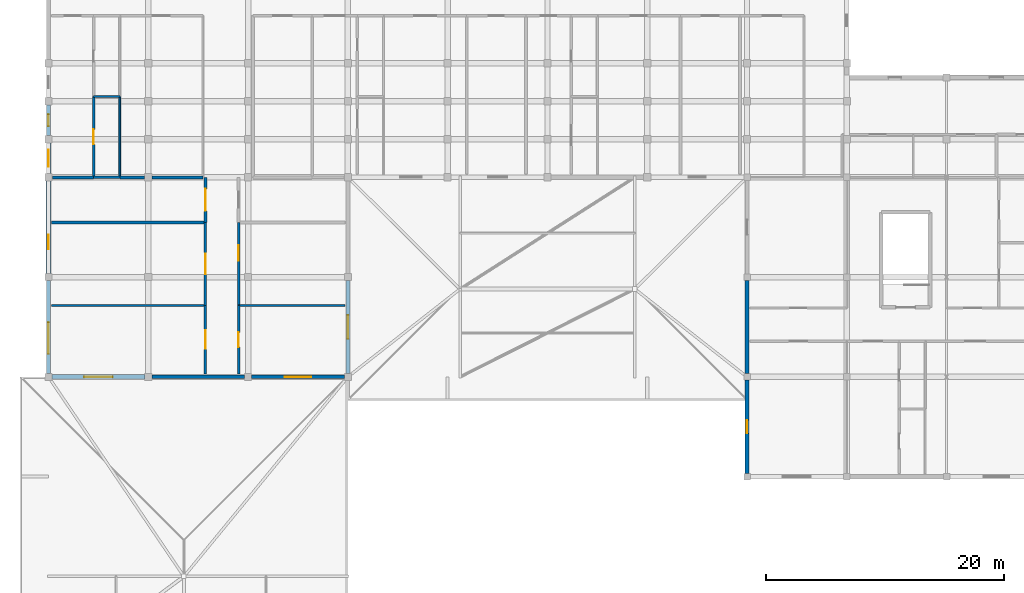
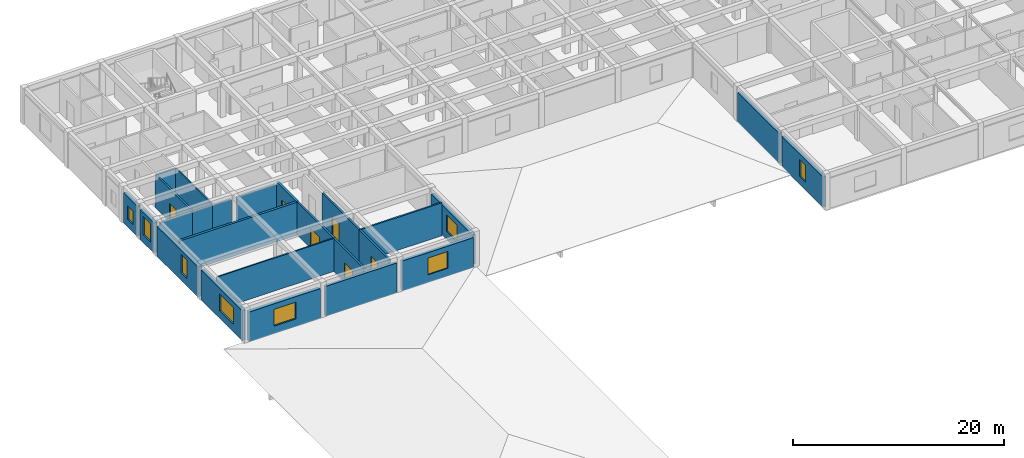
# One storey, part 14 of 42: 25 walls, 8 windows, 6 doors, 14 openings.
"""IFC4 building model written with IfcOpenShell, lengths in metres."""

from ifc_helpers import new_model, si_unit, direction, frame, frame_2d, origin, place, context, subcontext, project, spatial, rectangle, extrude, material, layer, layer_set, type_object, element, fill, save


model = new_model("IFC4")

# Units and contexts
model_context = context("Model", 3, precision=1e-05, world=origin(), true_north=direction((0.0, 1.0)))
body_context = subcontext(model_context, "Body", "Model", "MODEL_VIEW")
ifc_project = project(units=[si_unit("LENGTHUNIT", "METRE"), si_unit("AREAUNIT", "SQUARE_METRE"), si_unit("VOLUMEUNIT", "CUBIC_METRE"), si_unit("PLANEANGLEUNIT", "RADIAN"), si_unit("MASSUNIT", "GRAM", prefix="KILO")], contexts=[model_context])

# Site, building, storey
site_placement = place(None, origin())
site = spatial("IfcSite", under=ifc_project, at=site_placement, CompositionType="ELEMENT")
building_placement = place(site_placement, origin())
building = spatial("IfcBuilding", under=site, at=building_placement, Name="Varncliffe General Hospital", CompositionType="ELEMENT")
storey_placement = place(building_placement, frame((0.0, 0.0, 20.39990234375)))
storey = spatial("IfcBuildingStorey", under=building, at=storey_placement, Name="L04", CompositionType="ELEMENT", Elevation=20.39990234375)

# Wall
ifc_material_1 = material(Name="Precast concrete C40/50 with insulated cream lime-cement stucco", Category="concrete")
ifc_layer_1 = layer(ifc_material_1, 0.31005859375)
ifc_layer_set_1 = layer_set([ifc_layer_1], Name="Precast concrete C40/50 with insulated cream lime-cement stucco")
wall_type_1 = type_object("IfcWallType", Name="Exterior Insulated Stucco Wall EW20 (310mm)", PredefinedType="SOLIDWALL", material=ifc_layer_set_1)
wall_1_placement = place(storey_placement, frame((58.800048828125, 83.072998046875, 0.0), z_axis=(0.0, 0.0, 1.0), x_axis=(0.0, 1.0, 0.0)))
element("IfcWall", 1, at=wall_1_placement, inside=storey, type_object=wall_type_1, Name="L04 Exterior Stucco Wall EW20-329", PredefinedType="SOLIDWALL", context=body_context, shape_type="SweptSolid", body=[
    extrude(rectangle(XDim=7.85400390625, YDim=0.31005859375, at=frame_2d((3.927001953125, 0.0))), origin(), (0.0, 0.0, 1.0), 3.47998046875),
])

# Wall, opening, window
wall_2_placement = place(storey_placement, frame((24.902099609375, 82.800048828125, 0.0), z_axis=(0.0, 0.0, 1.0), x_axis=(-1.0, 0.0, 0.0)))
wall_2 = element("IfcWall", 2, at=wall_2_placement, inside=storey, type_object=wall_type_1, Name="L04 Exterior Stucco Wall EW20-337", PredefinedType="SOLIDWALL", context=body_context, shape_type="SweptSolid", body=[
    extrude(rectangle(XDim=7.80419921875, YDim=0.31005859375, at=frame_2d((3.902099609375, 0.0))), origin(), (0.0, 0.0, 1.0), 3.47998046875),
])
opening_1_placement = place(wall_2_placement, frame((2.802001953125, 0.0, 0.89990234375)))
opening_1 = element("IfcOpeningElement", 3, at=opening_1_placement, cuts=wall_2, Name="Opening WN35", PredefinedType="OPENING", context=body_context, shape_type="SweptSolid", body=[
    extrude(rectangle(XDim=2.199951171875, YDim=1.949951171875, at=frame_2d((1.10009765625, 0.97509765625))), frame((0.0, 0.1650390625, 0.0), z_axis=(0.0, -1.0, 0.0), x_axis=(1.0, 0.0, 0.0)), (0.0, 0.0, 1.0), 0.330078125),
])
ifc_material_2 = material(Name="Triple low-E argon insulated vision glazing", Category="glass")
window_type_1 = type_object("IfcWindowType", Name="Triple-Glazed Hospital Window WN35 (2200x1950)", PartitioningType="DOUBLE_PANEL_VERTICAL", PredefinedType="WINDOW", material=ifc_material_2)
window_1_placement = place(opening_1_placement, origin())
window_1 = element("IfcWindow", 4, at=window_1_placement, inside=storey, type_object=window_type_1, Name="L04 Hospital Window WN35-250", OverallHeight=1.949951171875, OverallWidth=2.199951171875, PartitioningType="DOUBLE_PANEL_VERTICAL", PredefinedType="WINDOW", context=body_context, shape_type="SweptSolid", body=[
    extrude(rectangle(XDim=2.199951171875, YDim=1.949951171875, at=frame_2d((1.10009765625, 0.97509765625))), frame((0.0, 0.030029296875, 0.0), z_axis=(0.0, -1.0, 0.0), x_axis=(1.0, 0.0, 0.0)), (0.0, 0.0, 1.0), 0.06005859375),
])
fill(opening_1, window_1)

ifc_layer_2 = layer(ifc_material_1, 0.3798828125)
ifc_layer_set_2 = layer_set([ifc_layer_2], Name="Precast concrete C40/50 with insulated cream lime-cement stucco")
wall_type_2 = type_object("IfcWallType", Name="Exterior Insulated Stucco Wall EW26 (380mm)", PredefinedType="SOLIDWALL", material=ifc_layer_set_2)
wall_3_placement = place(storey_placement, frame((8.10205078125, 82.800048828125, 0.0), z_axis=(0.0, 0.0, 1.0), x_axis=(-1.0, 0.0, 0.0)))
wall_3 = element("IfcWall", 5, at=wall_3_placement, inside=storey, type_object=wall_type_2, Name="L04 Exterior Stucco Wall EW26-339", PredefinedType="SOLIDWALL", context=body_context, shape_type="SweptSolid", body=[
    extrude(rectangle(XDim=7.803955078125, YDim=0.3798828125, at=frame_2d((3.90185546875, 0.0))), origin(), (0.0, 0.0, 1.0), 3.47998046875),
])
opening_2_placement = place(wall_3_placement, frame((2.701904296875, 0.0, 0.89990234375)))
opening_2 = element("IfcOpeningElement", 6, at=opening_2_placement, cuts=wall_3, Name="Opening WN16", PredefinedType="OPENING", context=body_context, shape_type="SweptSolid", body=[
    extrude(rectangle(XDim=2.39990234375, YDim=1.949951171875, at=frame_2d((1.199951171875, 0.97509765625))), frame((0.0, 0.199951171875, 0.0), z_axis=(0.0, -1.0, 0.0), x_axis=(1.0, 0.0, 0.0)), (0.0, 0.0, 1.0), 0.39990234375),
])
window_type_2 = type_object("IfcWindowType", Name="Triple-Glazed Hospital Window WN16 (2400x1950)", PartitioningType="DOUBLE_PANEL_VERTICAL", PredefinedType="WINDOW", material=ifc_material_2)
window_2_placement = place(opening_2_placement, origin())
window_2 = element("IfcWindow", 7, at=window_2_placement, inside=storey, type_object=window_type_2, Name="L04 Hospital Window WN16-251", OverallHeight=1.949951171875, OverallWidth=2.39990234375, PartitioningType="DOUBLE_PANEL_VERTICAL", PredefinedType="WINDOW", context=body_context, shape_type="SweptSolid", body=[
    extrude(rectangle(XDim=2.39990234375, YDim=1.949951171875, at=frame_2d((1.199951171875, 0.97509765625))), frame((0.0, 0.030029296875, 0.0), z_axis=(0.0, -1.0, 0.0), x_axis=(1.0, 0.0, 0.0)), (0.0, 0.0, 1.0), 0.06005859375),
])
fill(opening_2, window_2)

wall_4_placement = place(storey_placement, frame((0.0, 99.89794921875, 0.0), z_axis=(0.0, 0.0, 1.0), x_axis=(0.0, 1.0, 0.0)))
wall_4 = element("IfcWall", 8, at=wall_4_placement, inside=storey, type_object=wall_type_2, Name="L04 Exterior Stucco Wall EW26-342", PredefinedType="SOLIDWALL", context=body_context, shape_type="SweptSolid", body=[
    extrude(rectangle(XDim=2.60400390625, YDim=0.3798828125, at=frame_2d((1.302001953125, 0.0))), origin(), (0.0, 0.0, 1.0), 3.47998046875),
])
opening_3_placement = place(wall_4_placement, frame((0.60205078125, 0.0, 0.89990234375)))
opening_3 = element("IfcOpeningElement", 9, at=opening_3_placement, cuts=wall_4, Name="Opening WN11", PredefinedType="OPENING", context=body_context, shape_type="SweptSolid", body=[
    extrude(rectangle(XDim=1.39990234375, YDim=2.14990234375, at=frame_2d((0.699951171875, 1.074951171875))), frame((0.0, 0.199951171875, 0.0), z_axis=(0.0, -1.0, 0.0), x_axis=(1.0, 0.0, 0.0)), (0.0, 0.0, 1.0), 0.39990234375),
])
window_type_3 = type_object("IfcWindowType", Name="Triple-Glazed Hospital Window WN11 (1400x2150)", PartitioningType="SINGLE_PANEL", PredefinedType="WINDOW", material=ifc_material_2)
window_3_placement = place(opening_3_placement, origin())
window_3 = element("IfcWindow", 10, at=window_3_placement, inside=storey, type_object=window_type_3, Name="L04 Hospital Window WN11-254", OverallHeight=2.14990234375, OverallWidth=1.39990234375, PartitioningType="SINGLE_PANEL", PredefinedType="WINDOW", context=body_context, shape_type="SweptSolid", body=[
    extrude(rectangle(XDim=1.39990234375, YDim=2.14990234375, at=frame_2d((0.699951171875, 1.074951171875))), frame((0.0, 0.030029296875, 0.0), z_axis=(0.0, -1.0, 0.0), x_axis=(1.0, 0.0, 0.0)), (0.0, 0.0, 1.0), 0.06005859375),
])
fill(opening_3, window_3)

# Wall
ifc_layer_3 = layer(ifc_material_1, 0.2900390625)
ifc_layer_set_3 = layer_set([ifc_layer_3], Name="Precast concrete C40/50 with insulated cream lime-cement stucco")
wall_type_3 = type_object("IfcWallType", Name="Exterior Insulated Stucco Wall EW31 (290mm)", PredefinedType="SOLIDWALL", material=ifc_layer_set_3)
wall_5_placement = place(storey_placement, frame((16.501953125, 82.800048828125, 0.0), z_axis=(0.0, 0.0, 1.0), x_axis=(-1.0, 0.0, 0.0)))
element("IfcWall", 11, at=wall_5_placement, inside=storey, type_object=wall_type_3, Name="L04 Exterior Stucco Wall EW31-338", PredefinedType="SOLIDWALL", context=body_context, shape_type="SweptSolid", body=[
    extrude(rectangle(XDim=7.803955078125, YDim=0.2900390625, at=frame_2d((3.90185546875, 0.0))), origin(), (0.0, 0.0, 1.0), 3.47998046875),
])

# Wall, opening, window
ifc_layer_4 = layer(ifc_material_1, 0.330078125)
ifc_layer_set_4 = layer_set([ifc_layer_4], Name="Precast concrete C40/50 with insulated cream lime-cement stucco")
wall_type_4 = type_object("IfcWallType", Name="Exterior Insulated Stucco Wall EW33 (330mm)", PredefinedType="SOLIDWALL", material=ifc_layer_set_4)
wall_6_placement = place(storey_placement, frame((58.800048828125, 74.673095703125, 0.0), z_axis=(0.0, 0.0, 1.0), x_axis=(0.0, 1.0, 0.0)))
wall_6 = element("IfcWall", 12, at=wall_6_placement, inside=storey, type_object=wall_type_4, Name="L04 Exterior Stucco Wall EW33-328", PredefinedType="SOLIDWALL", context=body_context, shape_type="SweptSolid", body=[
    extrude(rectangle(XDim=7.85400390625, YDim=0.330078125, at=frame_2d((3.927001953125, 0.0))), origin(), (0.0, 0.0, 1.0), 3.47998046875),
])
opening_4_placement = place(wall_6_placement, frame((3.376953125, 0.0, 0.89990234375)))
opening_4 = element("IfcOpeningElement", 13, at=opening_4_placement, cuts=wall_6, Name="Opening WN41", PredefinedType="OPENING", context=body_context, shape_type="SweptSolid", body=[
    extrude(rectangle(XDim=1.10009765625, YDim=1.949951171875, at=frame_2d((0.550048828125, 0.97509765625))), frame((0.0, 0.175048828125, 0.0), z_axis=(0.0, -1.0, 0.0), x_axis=(1.0, 0.0, 0.0)), (0.0, 0.0, 1.0), 0.35009765625),
])
window_type_4 = type_object("IfcWindowType", Name="Triple-Glazed Hospital Window WN41 (1100x1950)", PartitioningType="SINGLE_PANEL", PredefinedType="WINDOW", material=ifc_material_2)
window_4_placement = place(opening_4_placement, origin())
window_4 = element("IfcWindow", 14, at=window_4_placement, inside=storey, type_object=window_type_4, Name="L04 Hospital Window WN41-244", OverallHeight=1.949951171875, OverallWidth=1.10009765625, PartitioningType="SINGLE_PANEL", PredefinedType="WINDOW", context=body_context, shape_type="SweptSolid", body=[
    extrude(rectangle(XDim=1.10009765625, YDim=1.949951171875, at=frame_2d((0.550048828125, 0.97509765625))), frame((0.0, 0.030029296875, 0.0), z_axis=(0.0, -1.0, 0.0), x_axis=(1.0, 0.0, 0.0)), (0.0, 0.0, 1.0), 0.06005859375),
])
fill(opening_4, window_4)

wall_7_placement = place(storey_placement, frame((25.199951171875, 90.902099609375, 0.0), z_axis=(0.0, 0.0, 1.0), x_axis=(0.0, -1.0, 0.0)))
wall_7 = element("IfcWall", 15, at=wall_7_placement, inside=storey, type_object=wall_type_4, Name="L04 Exterior Stucco Wall EW33-336", PredefinedType="SOLIDWALL", context=body_context, shape_type="SweptSolid", body=[
    extrude(rectangle(XDim=7.80419921875, YDim=0.330078125, at=frame_2d((3.902099609375, 0.0))), origin(), (0.0, 0.0, 1.0), 3.47998046875),
])
opening_5_placement = place(wall_7_placement, frame((2.902099609375, 0.0, 0.89990234375)))
opening_5 = element("IfcOpeningElement", 16, at=opening_5_placement, cuts=wall_7, Name="Opening WN79", PredefinedType="OPENING", context=body_context, shape_type="SweptSolid", body=[
    extrude(rectangle(XDim=2.0, YDim=1.949951171875, at=frame_2d((1.0, 0.97509765625))), frame((0.0, 0.175048828125, 0.0), z_axis=(0.0, -1.0, 0.0), x_axis=(1.0, 0.0, 0.0)), (0.0, 0.0, 1.0), 0.35009765625),
])
window_type_5 = type_object("IfcWindowType", Name="Triple-Glazed Hospital Window WN79 (2000x1950)", PartitioningType="DOUBLE_PANEL_VERTICAL", PredefinedType="WINDOW", material=ifc_material_2)
window_5_placement = place(opening_5_placement, origin())
window_5 = element("IfcWindow", 17, at=window_5_placement, inside=storey, type_object=window_type_5, Name="L04 Hospital Window WN79-249", OverallHeight=1.949951171875, OverallWidth=2.0, PartitioningType="DOUBLE_PANEL_VERTICAL", PredefinedType="WINDOW", context=body_context, shape_type="SweptSolid", body=[
    extrude(rectangle(XDim=2.0, YDim=1.949951171875, at=frame_2d((1.0, 0.97509765625))), frame((0.0, 0.030029296875, 0.0), z_axis=(0.0, -1.0, 0.0), x_axis=(1.0, 0.0, 0.0)), (0.0, 0.0, 1.0), 0.06005859375),
])
fill(opening_5, window_5)

ifc_layer_5 = layer(ifc_material_1, 0.35009765625)
ifc_layer_set_5 = layer_set([ifc_layer_5], Name="Precast concrete C40/50 with insulated cream lime-cement stucco")
wall_type_5 = type_object("IfcWallType", Name="Exterior Insulated Stucco Wall EW37 (350mm)", PredefinedType="SOLIDWALL", material=ifc_layer_set_5)
wall_8_placement = place(storey_placement, frame((0.0, 83.097900390625, 0.0), z_axis=(0.0, 0.0, 1.0), x_axis=(0.0, 1.0, 0.0)))
wall_8 = element("IfcWall", 18, at=wall_8_placement, inside=storey, type_object=wall_type_5, Name="L04 Exterior Stucco Wall EW37-340", PredefinedType="SOLIDWALL", context=body_context, shape_type="SweptSolid", body=[
    extrude(rectangle(XDim=7.80419921875, YDim=0.35009765625, at=frame_2d((3.902099609375, 0.0))), origin(), (0.0, 0.0, 1.0), 3.47998046875),
])
opening_6_placement = place(wall_8_placement, frame((1.64111328125, 0.0, 0.89990234375)))
opening_6 = element("IfcOpeningElement", 19, at=opening_6_placement, cuts=wall_8, Name="Opening WN30", PredefinedType="OPENING", context=body_context, shape_type="SweptSolid", body=[
    extrude(rectangle(XDim=2.64990234375, YDim=1.949951171875, at=frame_2d((1.324951171875, 0.97509765625))), frame((0.0, 0.18505859375, 0.0), z_axis=(0.0, -1.0, 0.0), x_axis=(1.0, 0.0, 0.0)), (0.0, 0.0, 1.0), 0.3701171875),
])
window_type_6 = type_object("IfcWindowType", Name="Triple-Glazed Hospital Window WN30 (2650x1950)", PartitioningType="DOUBLE_PANEL_VERTICAL", PredefinedType="WINDOW", material=ifc_material_2)
window_6_placement = place(opening_6_placement, origin())
window_6 = element("IfcWindow", 20, at=window_6_placement, inside=storey, type_object=window_type_6, Name="L04 Hospital Window WN30-252", OverallHeight=1.949951171875, OverallWidth=2.64990234375, PartitioningType="DOUBLE_PANEL_VERTICAL", PredefinedType="WINDOW", context=body_context, shape_type="SweptSolid", body=[
    extrude(rectangle(XDim=2.64990234375, YDim=1.949951171875, at=frame_2d((1.324951171875, 0.97509765625))), frame((0.0, 0.030029296875, 0.0), z_axis=(0.0, -1.0, 0.0), x_axis=(1.0, 0.0, 0.0)), (0.0, 0.0, 1.0), 0.06005859375),
])
fill(opening_6, window_6)

wall_9_placement = place(storey_placement, frame((0.0, 103.097900390625, 0.0), z_axis=(0.0, 0.0, 1.0), x_axis=(0.0, 1.0, 0.0)))
wall_9 = element("IfcWall", 21, at=wall_9_placement, inside=storey, type_object=wall_type_5, Name="L04 Exterior Stucco Wall EW37-343", PredefinedType="SOLIDWALL", context=body_context, shape_type="SweptSolid", body=[
    extrude(rectangle(XDim=2.60400390625, YDim=0.35009765625, at=frame_2d((1.302001953125, 0.0))), origin(), (0.0, 0.0, 1.0), 3.47998046875),
])
opening_7_placement = place(wall_9_placement, frame((0.802001953125, 0.0, 0.89990234375)))
opening_7 = element("IfcOpeningElement", 22, at=opening_7_placement, cuts=wall_9, Name="Opening WN21", PredefinedType="OPENING", context=body_context, shape_type="SweptSolid", body=[
    extrude(rectangle(XDim=1.0, YDim=1.550048828125, at=frame_2d((0.5, 0.77490234375))), frame((0.0, 0.18505859375, 0.0), z_axis=(0.0, -1.0, 0.0), x_axis=(1.0, 0.0, 0.0)), (0.0, 0.0, 1.0), 0.3701171875),
])
window_type_7 = type_object("IfcWindowType", Name="Triple-Glazed Hospital Window WN21 (1000x1550)", PartitioningType="SINGLE_PANEL", PredefinedType="WINDOW", material=ifc_material_2)
window_7_placement = place(opening_7_placement, origin())
window_7 = element("IfcWindow", 23, at=window_7_placement, inside=storey, type_object=window_type_7, Name="L04 Hospital Window WN21-255", OverallHeight=1.550048828125, OverallWidth=1.0, PartitioningType="SINGLE_PANEL", PredefinedType="WINDOW", context=body_context, shape_type="SweptSolid", body=[
    extrude(rectangle(XDim=1.0, YDim=1.550048828125, at=frame_2d((0.5, 0.77490234375))), frame((0.0, 0.030029296875, 0.0), z_axis=(0.0, -1.0, 0.0), x_axis=(1.0, 0.0, 0.0)), (0.0, 0.0, 1.0), 0.06005859375),
])
fill(opening_7, window_7)

ifc_layer_6 = layer(ifc_material_1, 0.39990234375)
ifc_layer_set_6 = layer_set([ifc_layer_6], Name="Precast concrete C40/50 with insulated cream lime-cement stucco")
wall_type_6 = type_object("IfcWallType", Name="Exterior Insulated Stucco Wall EW47 (400mm)", PredefinedType="SOLIDWALL", material=ifc_layer_set_6)
wall_10_placement = place(storey_placement, frame((0.0, 91.498046875, 0.0), z_axis=(0.0, 0.0, 1.0), x_axis=(0.0, 1.0, 0.0)))
wall_10 = element("IfcWall", 24, at=wall_10_placement, inside=storey, type_object=wall_type_6, Name="L04 Exterior Stucco Wall EW47-341", PredefinedType="SOLIDWALL", context=body_context, shape_type="SweptSolid", body=[
    extrude(rectangle(XDim=7.803955078125, YDim=0.39990234375, at=frame_2d((3.90185546875, 0.0))), origin(), (0.0, 0.0, 1.0), 3.47998046875),
])
opening_8_placement = place(wall_10_placement, frame((2.047119140625, 0.0, 0.89990234375)))
opening_8 = element("IfcOpeningElement", 25, at=opening_8_placement, cuts=wall_10, Name="Opening WN36", PredefinedType="OPENING", context=body_context, shape_type="SweptSolid", body=[
    extrude(rectangle(XDim=1.199951171875, YDim=2.14990234375, at=frame_2d((0.60009765625, 1.074951171875))), frame((0.0, 0.2099609375, 0.0), z_axis=(0.0, -1.0, 0.0), x_axis=(1.0, 0.0, 0.0)), (0.0, 0.0, 1.0), 0.419921875),
])
window_type_8 = type_object("IfcWindowType", Name="Triple-Glazed Hospital Window WN36 (1200x2150)", PartitioningType="SINGLE_PANEL", PredefinedType="WINDOW", material=ifc_material_2)
window_8_placement = place(opening_8_placement, origin())
window_8 = element("IfcWindow", 26, at=window_8_placement, inside=storey, type_object=window_type_8, Name="L04 Hospital Window WN36-253", OverallHeight=2.14990234375, OverallWidth=1.199951171875, PartitioningType="SINGLE_PANEL", PredefinedType="WINDOW", context=body_context, shape_type="SweptSolid", body=[
    extrude(rectangle(XDim=1.199951171875, YDim=2.14990234375, at=frame_2d((0.60009765625, 1.074951171875))), frame((0.0, 0.030029296875, 0.0), z_axis=(0.0, -1.0, 0.0), x_axis=(1.0, 0.0, 0.0)), (0.0, 0.0, 1.0), 0.06005859375),
])
fill(opening_8, window_8)

# Walls
ifc_material_3 = material(Name="Acoustic clinical gypsum stud partition assembly", Category="gypsum")
ifc_layer_7 = layer(ifc_material_3, 0.169921875)
ifc_layer_set_7 = layer_set([ifc_layer_7], Name="Acoustic clinical gypsum stud partition assembly")
wall_type_7 = type_object("IfcWallType", Name="Interior Partitioning IW20 (170mm)", PredefinedType="PARTITIONING", material=ifc_layer_set_7)
wall_11_placement = place(storey_placement, frame((16.0, 88.800048828125, 0.0), z_axis=(0.0, 0.0, 1.0), x_axis=(1.0, 0.0, 0.0)))
element("IfcWall", 27, at=wall_11_placement, inside=storey, type_object=wall_type_7, Name="L04 Interior Partition Wall IW20-1725", PredefinedType="PARTITIONING", context=body_context, shape_type="SweptSolid", body=[
    extrude(rectangle(XDim=8.93994140625, YDim=0.169921875, at=frame_2d((4.469970703125, 0.0))), origin(), (0.0, 0.0, 1.0), 3.820068359375),
])
ifc_layer_8 = layer(ifc_material_3, 0.14990234375)
ifc_layer_set_8 = layer_set([ifc_layer_8], Name="Acoustic clinical gypsum stud partition assembly")
wall_type_8 = type_object("IfcWallType", Name="Interior Partitioning IW35 (150mm)", PredefinedType="PARTITIONING", material=ifc_layer_set_8)
wall_12_placement = place(storey_placement, frame((0.260009765625, 88.800048828125, 0.0), z_axis=(0.0, 0.0, 1.0), x_axis=(1.0, 0.0, 0.0)))
element("IfcWall", 28, at=wall_12_placement, inside=storey, type_object=wall_type_8, Name="L04 Interior Partition Wall IW35-1724", PredefinedType="PARTITIONING", context=body_context, shape_type="SweptSolid", body=[
    extrude(rectangle(XDim=12.93994140625, YDim=0.14990234375, at=frame_2d((6.469970703125, 0.0))), origin(), (0.0, 0.0, 1.0), 3.820068359375),
])
wall_13_placement = place(storey_placement, frame((6.0, 99.60009765625, 0.0), z_axis=(0.0, 0.0, 1.0), x_axis=(0.0, 1.0, 0.0)))
element("IfcWall", 29, at=wall_13_placement, inside=storey, type_object=wall_type_8, Name="L04 Interior Partition Wall IW35-1844", PredefinedType="PARTITIONING", context=body_context, shape_type="SweptSolid", body=[
    extrude(rectangle(XDim=6.7998046875, YDim=0.14990234375, at=frame_2d((3.39990234375, 0.0))), origin(), (0.0, 0.0, 1.0), 3.820068359375),
])
ifc_material_4 = material(Name="Fire-rated gypsum and mineral-wool partition assembly", Category="gypsum")
ifc_layer_9 = layer(ifc_material_4, 0.25)
ifc_layer_set_9 = layer_set([ifc_layer_9], Name="Fire-rated gypsum and mineral-wool partition assembly")
wall_type_9 = type_object("IfcWallType", Name="Interior Partitioning PW38 (250mm)", PredefinedType="PARTITIONING", material=ifc_layer_set_9)
wall_14_placement = place(storey_placement, frame((0.260009765625, 95.800048828125, 0.0), z_axis=(0.0, 0.0, 1.0), x_axis=(1.0, 0.0, 0.0)))
element("IfcWall", 30, at=wall_14_placement, inside=storey, type_object=wall_type_9, Name="L04 Interior Partition Wall PW38-1731", PredefinedType="PARTITIONING", context=body_context, shape_type="SweptSolid", body=[
    extrude(rectangle(XDim=12.93994140625, YDim=0.25, at=frame_2d((6.469970703125, 0.0))), origin(), (0.0, 0.0, 1.0), 3.820068359375),
])
wall_15_placement = place(storey_placement, frame((0.31494140625, 99.60009765625, 0.0), z_axis=(0.0, 0.0, 1.0), x_axis=(1.0, 0.0, 0.0)))
element("IfcWall", 31, at=wall_15_placement, inside=storey, type_object=wall_type_9, Name="L04 Interior Partition Wall PW38-1735", PredefinedType="PARTITIONING", context=body_context, shape_type="SweptSolid", body=[
    extrude(rectangle(XDim=3.485107421875, YDim=0.25, at=frame_2d((1.74267578125, 0.0))), origin(), (0.0, 0.0, 1.0), 3.585205078125),
])
wall_16_placement = place(storey_placement, frame((8.715087890625, 99.60009765625, 0.0), z_axis=(0.0, 0.0, 1.0), x_axis=(1.0, 0.0, 0.0)))
element("IfcWall", 32, at=wall_16_placement, inside=storey, type_object=wall_type_9, Name="L04 Interior Partition Wall PW38-1737", PredefinedType="PARTITIONING", context=body_context, shape_type="SweptSolid", body=[
    extrude(rectangle(XDim=4.284912109375, YDim=0.25, at=frame_2d((2.142578125, 0.0))), origin(), (0.0, 0.0, 1.0), 3.585205078125),
])
wall_17_placement = place(storey_placement, frame((6.0, 99.60009765625, 0.0), z_axis=(0.0, 0.0, 1.0), x_axis=(1.0, 0.0, 0.0)))
element("IfcWall", 33, at=wall_17_placement, inside=storey, type_object=wall_type_9, Name="L04 Interior Partition Wall PW38-1738", PredefinedType="PARTITIONING", context=body_context, shape_type="SweptSolid", body=[
    extrude(rectangle(XDim=2.0849609375, YDim=0.25, at=frame_2d((1.04248046875, 0.0))), origin(), (0.0, 0.0, 1.0), 3.585205078125),
])

# Wall, opening, door
wall_18_placement = place(storey_placement, frame((13.199951171875, 95.800048828125, 0.0), z_axis=(0.0, 0.0, 1.0), x_axis=(0.0, 1.0, 0.0)))
wall_18 = element("IfcWall", 34, at=wall_18_placement, inside=storey, type_object=wall_type_9, Name="L04 Interior Partition Wall PW38-1851", PredefinedType="PARTITIONING", context=body_context, shape_type="SweptSolid", body=[
    extrude(rectangle(XDim=3.800048828125, YDim=0.25, at=frame_2d((1.89990234375, 0.0))), origin(), (0.0, 0.0, 1.0), 3.820068359375),
])
opening_9_placement = place(wall_18_placement, frame((0.97509765625, 0.0, 0.0)))
opening_9 = element("IfcOpeningElement", 35, at=opening_9_placement, cuts=wall_18, Name="Opening DC38", PredefinedType="OPENING", context=body_context, shape_type="SweptSolid", body=[
    extrude(rectangle(XDim=1.85009765625, YDim=2.300048828125, at=frame_2d((0.925048828125, 1.14990234375))), frame((0.0, 0.135009765625, 0.0), z_axis=(0.0, -1.0, 0.0), x_axis=(1.0, 0.0, 0.0)), (0.0, 0.0, 1.0), 0.27001953125),
])
ifc_material_5 = material(Name="Fire-rated hospital steel-frame vision-panel door", Category="steel")
door_type_1 = type_object("IfcDoorType", Name="Interior Hospital Door DC38 (1850x2300)", OperationType="NOTDEFINED", PredefinedType="DOOR", material=ifc_material_5)
door_1_placement = place(opening_9_placement, origin())
door_1 = element("IfcDoor", 36, at=door_1_placement, inside=storey, type_object=door_type_1, Name="L04 Ward Soiled Utility Store 125 Door", OperationType="SINGLE_SWING_RIGHT", OverallHeight=2.300048828125, OverallWidth=1.85009765625, PredefinedType="DOOR", context=body_context, shape_type="SweptSolid", body=[
    extrude(rectangle(XDim=1.85009765625, YDim=2.300048828125, at=frame_2d((0.925048828125, 1.14990234375))), frame((0.0, 0.02490234375, 0.0), z_axis=(0.0, -1.0, 0.0), x_axis=(1.0, 0.0, 0.0)), (0.0, 0.0, 1.0), 0.050048828125),
])
fill(opening_9, door_1)

# Wall
ifc_layer_10 = layer(ifc_material_4, 0.22998046875)
ifc_layer_set_10 = layer_set([ifc_layer_10], Name="Fire-rated gypsum and mineral-wool partition assembly")
wall_type_10 = type_object("IfcWallType", Name="Interior Partitioning PW48 (230mm)", PredefinedType="PARTITIONING", material=ifc_layer_set_10)
wall_19_placement = place(storey_placement, frame((3.800048828125, 99.60009765625, 0.0), z_axis=(0.0, 0.0, 1.0), x_axis=(1.0, 0.0, 0.0)))
element("IfcWall", 37, at=wall_19_placement, inside=storey, type_object=wall_type_10, Name="L04 Interior Partition Wall PW48-1736", PredefinedType="PARTITIONING", context=body_context, shape_type="SweptSolid", body=[
    extrude(rectangle(XDim=2.199951171875, YDim=0.22998046875, at=frame_2d((1.10009765625, 0.0))), origin(), (0.0, 0.0, 1.0), 3.585205078125),
])

# Wall, opening, door
ifc_layer_11 = layer(ifc_material_4, 0.199951171875)
ifc_layer_set_11 = layer_set([ifc_layer_11], Name="Fire-rated gypsum and mineral-wool partition assembly")
wall_type_11 = type_object("IfcWallType", Name="Interior Partitioning PW63 (200mm)", PredefinedType="PARTITIONING", material=ifc_layer_set_11)
wall_20_placement = place(storey_placement, frame((3.800048828125, 99.60009765625, 0.0), z_axis=(0.0, 0.0, 1.0), x_axis=(0.0, 1.0, 0.0)))
wall_20 = element("IfcWall", 38, at=wall_20_placement, inside=storey, type_object=wall_type_11, Name="L04 Interior Partition Wall PW63-1840", PredefinedType="PARTITIONING", context=body_context, shape_type="SweptSolid", body=[
    extrude(rectangle(XDim=6.7998046875, YDim=0.199951171875, at=frame_2d((3.39990234375, 0.0))), origin(), (0.0, 0.0, 1.0), 3.820068359375),
])
opening_10_placement = place(wall_20_placement, frame((2.77490234375, 0.0, 0.0)))
opening_10 = element("IfcOpeningElement", 39, at=opening_10_placement, cuts=wall_20, Name="Opening DC44", PredefinedType="OPENING", context=body_context, shape_type="SweptSolid", body=[
    extrude(rectangle(XDim=1.25, YDim=2.14990234375, at=frame_2d((0.625, 1.074951171875))), frame((0.0, 0.10986328125, 0.0), z_axis=(0.0, -1.0, 0.0), x_axis=(1.0, 0.0, 0.0)), (0.0, 0.0, 1.0), 0.219970703125),
])
door_type_2 = type_object("IfcDoorType", Name="Interior Hospital Door DC44 (1250x2150)", OperationType="NOTDEFINED", PredefinedType="DOOR", material=ifc_material_5)
door_2_placement = place(opening_10_placement, frame((1.25, 0.0, 0.0), z_axis=(0.0, 0.0, 1.0), x_axis=(-1.0, 0.0, 0.0)))
door_2 = element("IfcDoor", 40, at=door_2_placement, inside=storey, type_object=door_type_2, Name="L04 Patient Medication and Hygiene Bay 81 Door", OperationType="SINGLE_SWING_RIGHT", OverallHeight=2.14990234375, OverallWidth=1.25, PredefinedType="DOOR", context=body_context, shape_type="SweptSolid", body=[
    extrude(rectangle(XDim=1.25, YDim=2.14990234375, at=frame_2d((0.625, 1.074951171875))), frame((0.0, 0.02490234375, 0.0), z_axis=(0.0, -1.0, 0.0), x_axis=(1.0, 0.0, 0.0)), (0.0, 0.0, 1.0), 0.050048828125),
])
fill(opening_10, door_2)

wall_21_placement = place(storey_placement, frame((13.199951171875, 83.06005859375, 0.0), z_axis=(0.0, 0.0, 1.0), x_axis=(0.0, 1.0, 0.0)))
wall_21 = element("IfcWall", 41, at=wall_21_placement, inside=storey, type_object=wall_type_11, Name="L04 Interior Partition Wall PW63-1849", PredefinedType="PARTITIONING", context=body_context, shape_type="SweptSolid", body=[
    extrude(rectangle(XDim=5.739990234375, YDim=0.199951171875, at=frame_2d((2.8701171875, 0.0))), origin(), (0.0, 0.0, 1.0), 3.820068359375),
])
opening_11_placement = place(wall_21_placement, frame((2.094970703125, 0.0, 0.0)))
opening_11 = element("IfcOpeningElement", 42, at=opening_11_placement, cuts=wall_21, Name="Opening DC67", PredefinedType="OPENING", context=body_context, shape_type="SweptSolid", body=[
    extrude(rectangle(XDim=1.550048828125, YDim=2.25, at=frame_2d((0.77490234375, 1.125))), frame((0.0, 0.10986328125, 0.0), z_axis=(0.0, -1.0, 0.0), x_axis=(1.0, 0.0, 0.0)), (0.0, 0.0, 1.0), 0.219970703125),
])
door_type_3 = type_object("IfcDoorType", Name="Interior Hospital Door DC67 (1550x2250)", OperationType="NOTDEFINED", PredefinedType="DOOR", material=ifc_material_5)
door_3_placement = place(opening_11_placement, origin())
door_3 = element("IfcDoor", 43, at=door_3_placement, inside=storey, type_object=door_type_3, Name="L04 Cardiology Telemetry Inpatient Room 123 Door", OperationType="SINGLE_SWING_RIGHT", OverallHeight=2.25, OverallWidth=1.550048828125, PredefinedType="DOOR", context=body_context, shape_type="SweptSolid", body=[
    extrude(rectangle(XDim=1.550048828125, YDim=2.25, at=frame_2d((0.77490234375, 1.125))), frame((0.0, 0.02490234375, 0.0), z_axis=(0.0, -1.0, 0.0), x_axis=(1.0, 0.0, 0.0)), (0.0, 0.0, 1.0), 0.050048828125),
])
fill(opening_11, door_3)

wall_22_placement = place(storey_placement, frame((13.199951171875, 88.800048828125, 0.0), z_axis=(0.0, 0.0, 1.0), x_axis=(0.0, 1.0, 0.0)))
wall_22 = element("IfcWall", 44, at=wall_22_placement, inside=storey, type_object=wall_type_11, Name="L04 Interior Partition Wall PW63-1850", PredefinedType="PARTITIONING", context=body_context, shape_type="SweptSolid", body=[
    extrude(rectangle(XDim=7.0, YDim=0.199951171875, at=frame_2d((3.5, 0.0))), origin(), (0.0, 0.0, 1.0), 3.820068359375),
])
opening_12_placement = place(wall_22_placement, frame((2.64990234375, 0.0, 0.0)))
opening_12 = element("IfcOpeningElement", 45, at=opening_12_placement, cuts=wall_22, Name="Opening DC50", PredefinedType="OPENING", context=body_context, shape_type="SweptSolid", body=[
    extrude(rectangle(XDim=1.699951171875, YDim=2.300048828125, at=frame_2d((0.85009765625, 1.14990234375))), frame((0.0, 0.10986328125, 0.0), z_axis=(0.0, -1.0, 0.0), x_axis=(1.0, 0.0, 0.0)), (0.0, 0.0, 1.0), 0.219970703125),
])
door_type_4 = type_object("IfcDoorType", Name="Interior Hospital Door DC50 (1700x2300)", OperationType="NOTDEFINED", PredefinedType="DOOR", material=ifc_material_5)
door_4_placement = place(opening_12_placement, origin())
door_4 = element("IfcDoor", 46, at=door_4_placement, inside=storey, type_object=door_type_4, Name="L04 Telemetry Central Monitoring Station 124 Door", OperationType="SINGLE_SWING_LEFT", OverallHeight=2.300048828125, OverallWidth=1.699951171875, PredefinedType="DOOR", context=body_context, shape_type="SweptSolid", body=[
    extrude(rectangle(XDim=1.699951171875, YDim=2.300048828125, at=frame_2d((0.85009765625, 1.14990234375))), frame((0.0, 0.02490234375, 0.0), z_axis=(0.0, -1.0, 0.0), x_axis=(1.0, 0.0, 0.0)), (0.0, 0.0, 1.0), 0.050048828125),
])
fill(opening_12, door_4)

wall_23_placement = place(storey_placement, frame((16.0, 83.06005859375, 0.0), z_axis=(0.0, 0.0, 1.0), x_axis=(0.0, 1.0, 0.0)))
wall_23 = element("IfcWall", 47, at=wall_23_placement, inside=storey, type_object=wall_type_11, Name="L04 Interior Partition Wall PW63-1852", PredefinedType="PARTITIONING", context=body_context, shape_type="SweptSolid", body=[
    extrude(rectangle(XDim=5.739990234375, YDim=0.199951171875, at=frame_2d((2.8701171875, 0.0))), origin(), (0.0, 0.0, 1.0), 3.820068359375),
])
opening_13_placement = place(wall_23_placement, frame((2.2451171875, 0.0, 0.0)))
opening_13 = element("IfcOpeningElement", 48, at=opening_13_placement, cuts=wall_23, Name="Opening DC44", PredefinedType="OPENING", context=body_context, shape_type="SweptSolid", body=[
    extrude(rectangle(XDim=1.25, YDim=2.14990234375, at=frame_2d((0.625, 1.074951171875))), frame((0.0, 0.10986328125, 0.0), z_axis=(0.0, -1.0, 0.0), x_axis=(1.0, 0.0, 0.0)), (0.0, 0.0, 1.0), 0.219970703125),
])
door_5_placement = place(opening_13_placement, frame((1.25, 0.0, 0.0), z_axis=(0.0, 0.0, 1.0), x_axis=(-1.0, 0.0, 0.0)))
door_5 = element("IfcDoor", 49, at=door_5_placement, inside=storey, type_object=door_type_2, Name="L04 Cardiology Telemetry Inpatient Room 126 Door", OperationType="SINGLE_SWING_LEFT", OverallHeight=2.14990234375, OverallWidth=1.25, PredefinedType="DOOR", context=body_context, shape_type="SweptSolid", body=[
    extrude(rectangle(XDim=1.25, YDim=2.14990234375, at=frame_2d((0.625, 1.074951171875))), frame((0.0, 0.02490234375, 0.0), z_axis=(0.0, -1.0, 0.0), x_axis=(1.0, 0.0, 0.0)), (0.0, 0.0, 1.0), 0.050048828125),
])
fill(opening_13, door_5)

wall_24_placement = place(storey_placement, frame((16.0, 88.800048828125, 0.0), z_axis=(0.0, 0.0, 1.0), x_axis=(0.0, 1.0, 0.0)))
wall_24 = element("IfcWall", 50, at=wall_24_placement, inside=storey, type_object=wall_type_11, Name="L04 Interior Partition Wall PW63-1853", PredefinedType="PARTITIONING", context=body_context, shape_type="SweptSolid", body=[
    extrude(rectangle(XDim=7.0, YDim=0.199951171875, at=frame_2d((3.5, 0.0))), origin(), (0.0, 0.0, 1.0), 3.820068359375),
])
opening_14_placement = place(wall_24_placement, frame((3.78955078125, 0.0, 0.0)))
opening_14 = element("IfcOpeningElement", 51, at=opening_14_placement, cuts=wall_24, Name="Opening DC88", PredefinedType="OPENING", context=body_context, shape_type="SweptSolid", body=[
    extrude(rectangle(XDim=1.300048828125, YDim=2.199951171875, at=frame_2d((0.64990234375, 1.10009765625))), frame((0.0, 0.10986328125, 0.0), z_axis=(0.0, -1.0, 0.0), x_axis=(1.0, 0.0, 0.0)), (0.0, 0.0, 1.0), 0.219970703125),
])
door_type_5 = type_object("IfcDoorType", Name="Interior Hospital Door DC88 (1300x2200)", OperationType="NOTDEFINED", PredefinedType="DOOR", material=ifc_material_5)
door_6_placement = place(opening_14_placement, frame((1.300048828125, 0.0, 0.0), z_axis=(0.0, 0.0, 1.0), x_axis=(-1.0, 0.0, 0.0)))
door_6 = element("IfcDoor", 52, at=door_6_placement, inside=storey, type_object=door_type_5, Name="L04 Telemetry Central Monitoring Station 127 Door", OperationType="SINGLE_SWING_RIGHT", OverallHeight=2.199951171875, OverallWidth=1.300048828125, PredefinedType="DOOR", context=body_context, shape_type="SweptSolid", body=[
    extrude(rectangle(XDim=1.300048828125, YDim=2.199951171875, at=frame_2d((0.64990234375, 1.10009765625))), frame((0.0, 0.02490234375, 0.0), z_axis=(0.0, -1.0, 0.0), x_axis=(1.0, 0.0, 0.0)), (0.0, 0.0, 1.0), 0.050048828125),
])
fill(opening_14, door_6)

# Wall
ifc_material_6 = material(Name="Moisture-resistant plumbing chase wall assembly", Category="gypsum")
ifc_layer_12 = layer(ifc_material_6, 0.159912109375)
ifc_layer_set_12 = layer_set([ifc_layer_12], Name="Moisture-resistant plumbing chase wall assembly")
wall_type_12 = type_object("IfcWallType", Name="Interior Plumbingwall MW31 (160mm)", PredefinedType="PLUMBINGWALL", material=ifc_layer_set_12)
wall_25_placement = place(storey_placement, frame((3.800048828125, 106.39990234375, 0.0), z_axis=(0.0, 0.0, 1.0), x_axis=(1.0, 0.0, 0.0)))
element("IfcWall", 53, at=wall_25_placement, inside=storey, type_object=wall_type_12, Name="L04 Interior Plumbing Wall MW31-1779", PredefinedType="PLUMBINGWALL", context=body_context, shape_type="SweptSolid", body=[
    extrude(rectangle(XDim=2.199951171875, YDim=0.159912109375, at=frame_2d((1.10009765625, 0.0))), origin(), (0.0, 0.0, 1.0), 3.820068359375),
])

save(model, "model.ifc")
